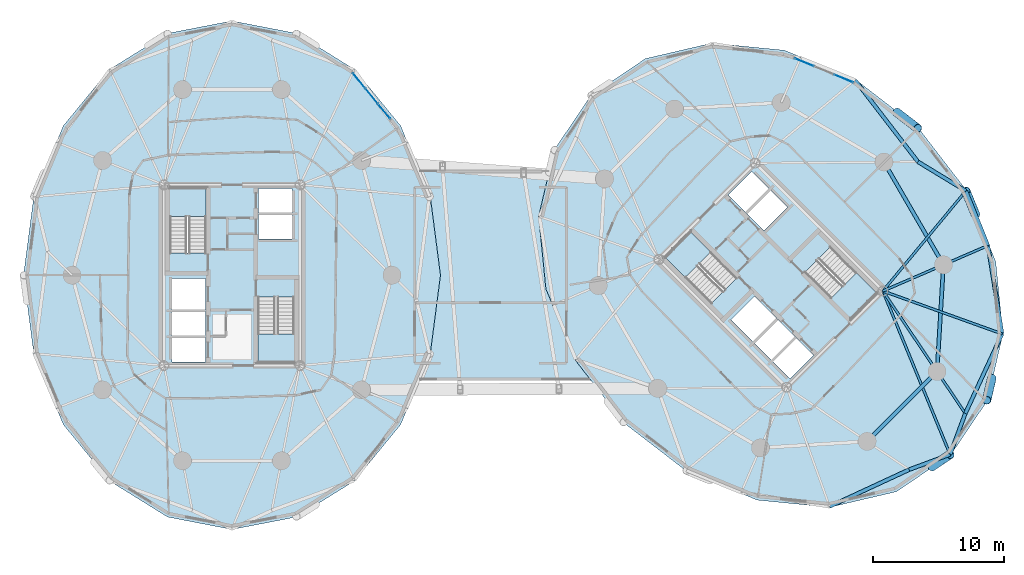
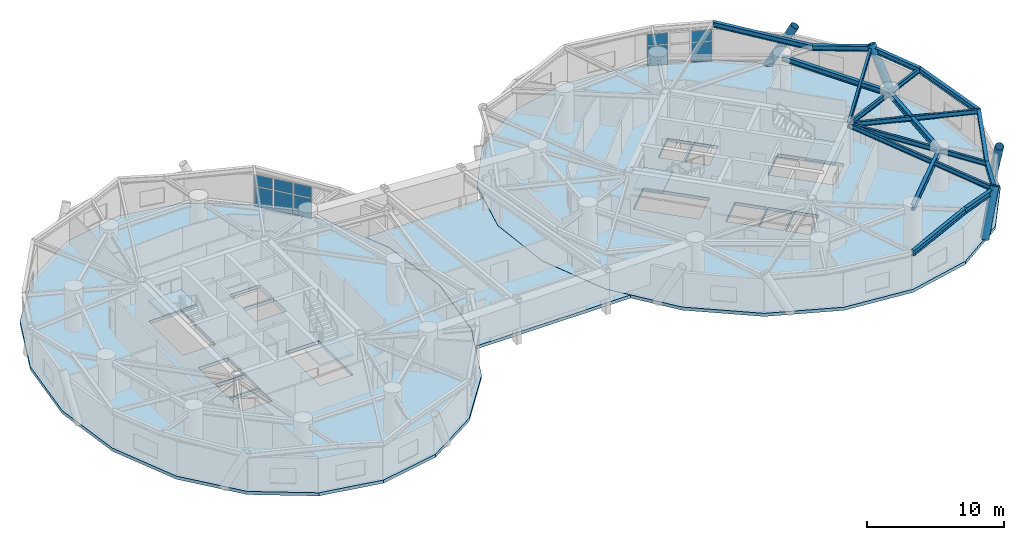
# One storey, part 8 of 17: 16 beams, 10 plates, 7 slabs, 4 members, 6 elements without a shape of their own.
"""IFC4 building model written with IfcOpenShell, lengths in metres."""

from ifc_helpers import new_model, si_unit, direction, frame, origin, origin_2d, place, context, subcontext, project, spatial, polyline, rectangle, hollow_circle, i_section, outline, extrude, source, transform, mapped, material, layer, layer_set, material_profile, profile_set, type_object, element, aggregate, save


model = new_model("IFC4")

# Units and contexts
model_context = context("Model", 3, precision=1e-05, world=origin(), true_north=direction((0.0, 1.0)))
body_context = subcontext(model_context, "Body", "Model", "MODEL_VIEW")
ifc_project = project(units=[si_unit("LENGTHUNIT", "METRE"), si_unit("AREAUNIT", "SQUARE_METRE"), si_unit("VOLUMEUNIT", "CUBIC_METRE"), si_unit("PLANEANGLEUNIT", "RADIAN"), si_unit("MASSUNIT", "GRAM", prefix="KILO")], contexts=[model_context])

# Site, building, storey
site_placement = place(None, origin())
site = spatial("IfcSite", under=ifc_project, at=site_placement, CompositionType="ELEMENT")
building_placement = place(site_placement, origin())
building = spatial("IfcBuilding", under=site, at=building_placement, Name="Cununo Teusaquillo Station Towers", CompositionType="ELEMENT")
storey_placement = place(building_placement, frame((0.0, 0.0, 125.43994140625)))
storey = spatial("IfcBuildingStorey", under=building, at=storey_placement, Name="L40", CompositionType="ELEMENT", Elevation=125.43994140625)

# Beams
ifc_material_1 = material(Name="Steel ASTM A572 Grade 50", Category="steel")
ifc_material_profile_1 = material_profile(ifc_material_1, i_section(OverallWidth=0.180908203125, OverallDepth=0.4169921875, WebThickness=0.010986328125, FlangeThickness=0.018310546875, FilletRadius=0.012939453125, at=origin_2d()), Name="W16X57")
ifc_profile_set_1 = profile_set([ifc_material_profile_1], Name="Steel ASTM A572 Grade 50")
beam_type_1 = type_object("IfcBeamType", Name="BM-JOIST-1", PredefinedType="JOIST", material=ifc_profile_set_1)
beam_1_placement = place(storey_placement, frame((66.024169921875, 23.29443359375, 3.2314453125), z_axis=(0.380485864505, -0.924786735908, 0.0), x_axis=(0.924786735908, 0.380485864505, 0.0)))
element("IfcBeam", 1, at=beam_1_placement, inside=storey, type_object=beam_type_1, Name="L40 Tower B Radial Spandrel Joist V15", PredefinedType="JOIST", context=body_context, shape_type="SweptSolid", body=[
    extrude(i_section(OverallWidth=0.180908203125, OverallDepth=0.4169921875, WebThickness=0.010986328125, FlangeThickness=0.018310546875, FilletRadius=0.012939453125, at=origin_2d()), origin(), (0.0, 0.0, 1.0), 13.44580078125),
])
beam_2_placement = place(storey_placement, frame((66.024169921875, 23.29443359375, 3.2314453125), z_axis=(0.941082771055, -0.338176312038, 0.0), x_axis=(0.338176312038, 0.941082771055, 0.0)))
element("IfcBeam", 2, at=beam_2_placement, inside=storey, type_object=beam_type_1, Name="L40 Tower B Radial Spandrel Joist V17", PredefinedType="JOIST", context=body_context, shape_type="SweptSolid", body=[
    extrude(i_section(OverallWidth=0.180908203125, OverallDepth=0.4169921875, WebThickness=0.010986328125, FlangeThickness=0.018310546875, FilletRadius=0.012939453125, at=origin_2d()), origin(), (0.0, 0.0, 1.0), 9.646484375),
])
beam_3_placement = place(storey_placement, frame((66.024169921875, 23.29443359375, 3.2314453125), z_axis=(0.638372238196, 0.769727799615, 0.0), x_axis=(-0.769727799615, 0.638372238196, 0.0)))
element("IfcBeam", 3, at=beam_3_placement, inside=storey, type_object=beam_type_1, Name="L40 Tower B Radial Spandrel Joist V19", PredefinedType="JOIST", context=body_context, shape_type="SweptSolid", body=[
    extrude(i_section(OverallWidth=0.180908203125, OverallDepth=0.4169921875, WebThickness=0.010986328125, FlangeThickness=0.018310546875, FilletRadius=0.012939453125, at=origin_2d()), origin(), (0.0, 0.0, 1.0), 9.895263671875),
])
ifc_material_2 = material(Name="Steel ASTM A572 Grade 50", Category="steel")
ifc_material_profile_2 = material_profile(ifc_material_2, i_section(OverallWidth=0.180908203125, OverallDepth=0.4169921875, WebThickness=0.010986328125, FlangeThickness=0.018310546875, FilletRadius=0.012939453125, at=origin_2d()), Name="W16X57")
ifc_profile_set_2 = profile_set([ifc_material_profile_2], Name="Steel ASTM A572 Grade 50")
beam_type_2 = type_object("IfcBeamType", Name="BM-RAD-G2", PredefinedType="BEAM", material=ifc_profile_set_2)
beam_4_placement = place(storey_placement, frame((66.024169921875, 23.29443359375, 3.2314453125), z_axis=(0.558572297481, -0.82945583878, 0.0), x_axis=(0.82945583878, 0.558572297481, 0.0)))
element("IfcBeam", 4, at=beam_4_placement, inside=storey, type_object=beam_type_2, Name="L40 Tower B Continuous Overhanging Radial Girder 09", PredefinedType="BEAM", context=body_context, shape_type="SweptSolid", body=[
    extrude(i_section(OverallWidth=0.180908203125, OverallDepth=0.4169921875, WebThickness=0.010986328125, FlangeThickness=0.018310546875, FilletRadius=0.012939453125, at=origin_2d()), origin(), (0.0, 0.0, 1.0), 11.22998046875),
])
beam_5_placement = place(storey_placement, frame((66.024169921875, 23.29443359375, 3.2314453125), z_axis=(0.917654733344, 0.397378648609, 0.0), x_axis=(-0.397378648609, 0.917654733344, 0.0)))
element("IfcBeam", 5, at=beam_5_placement, inside=storey, type_object=beam_type_2, Name="L40 Tower B Continuous Overhanging Radial Girder 10", PredefinedType="BEAM", context=body_context, shape_type="SweptSolid", body=[
    extrude(i_section(OverallWidth=0.180908203125, OverallDepth=0.4169921875, WebThickness=0.010986328125, FlangeThickness=0.018310546875, FilletRadius=0.012939453125, at=origin_2d()), origin(), (0.0, 0.0, 1.0), 8.71484375),
])
ifc_material_3 = material(Name="Steel ASTM A572 Grade 50", Category="steel")
ifc_material_profile_3 = material_profile(ifc_material_3, i_section(OverallWidth=0.280029296875, OverallDepth=0.462890625, WebThickness=0.0107421875, FlangeThickness=0.017333984375, FilletRadius=0.013916015625, at=origin_2d()), Name="W18X76")
ifc_profile_set_3 = profile_set([ifc_material_profile_3], Name="Steel ASTM A572 Grade 50")
beam_type_3 = type_object("IfcBeamType", Name="BM-RING-Z2", PredefinedType="SPANDREL", material=ifc_profile_set_3)
beam_6_placement = place(storey_placement, frame((64.826904296875, 11.853759765625, 3.20849609375), z_axis=(0.707106781187, 0.707106781187, 0.0), x_axis=(-0.707106781187, 0.707106781187, 0.0)))
element("IfcBeam", 6, at=beam_6_placement, inside=storey, type_object=beam_type_3, Name="L40 Tower B Structural Column Ring Girder 08", PredefinedType="SPANDREL", context=body_context, shape_type="SweptSolid", body=[
    extrude(i_section(OverallWidth=0.280029296875, OverallDepth=0.462890625, WebThickness=0.0107421875, FlangeThickness=0.017333984375, FilletRadius=0.013916015625, at=origin_2d()), origin(), (0.0, 0.0, 1.0), 7.522705078125),
])
beam_7_placement = place(storey_placement, frame((70.146240234375, 17.173095703125, 3.20849609375), z_axis=(0.06012979176, 0.998190567048, 0.0), x_axis=(-0.998190567048, 0.06012979176, 0.0)))
element("IfcBeam", 7, at=beam_7_placement, inside=storey, type_object=beam_type_3, Name="L40 Tower B Structural Column Ring Girder 09", PredefinedType="SPANDREL", context=body_context, shape_type="SweptSolid", body=[
    extrude(i_section(OverallWidth=0.280029296875, OverallDepth=0.462890625, WebThickness=0.0107421875, FlangeThickness=0.017333984375, FilletRadius=0.013916015625, at=origin_2d()), origin(), (0.0, 0.0, 1.0), 8.132568359375),
])
beam_8_placement = place(storey_placement, frame((70.63525390625, 25.291015625, 3.20849609375), z_axis=(-0.501311121078, 0.865267103202, 0.0), x_axis=(-0.865267103202, -0.501311121078, 0.0)))
element("IfcBeam", 8, at=beam_8_placement, inside=storey, type_object=beam_type_3, Name="L40 Tower B Structural Column Ring Girder 10", PredefinedType="SPANDREL", context=body_context, shape_type="SweptSolid", body=[
    extrude(i_section(OverallWidth=0.280029296875, OverallDepth=0.462890625, WebThickness=0.0107421875, FlangeThickness=0.017333984375, FilletRadius=0.013916015625, at=origin_2d()), origin(), (0.0, 0.0, 1.0), 9.032958984375),
])
beam_9_placement = place(storey_placement, frame((68.694580078125, 33.12890625, 3.20849609375), z_axis=(-0.610100441726, 0.792324082056, 0.0), x_axis=(-0.792324082056, -0.610100441726, 0.0)))
element("IfcBeam", 9, at=beam_9_placement, inside=storey, type_object=beam_type_3, Name="L40 Tower B Spandrel Ring Beam 01", PredefinedType="SPANDREL", context=body_context, shape_type="SweptSolid", body=[
    extrude(i_section(OverallWidth=0.280029296875, OverallDepth=0.462890625, WebThickness=0.0107421875, FlangeThickness=0.017333984375, FilletRadius=0.013916015625, at=origin_2d()), origin(), (0.0, 0.0, 1.0), 7.84033203125),
])
beam_10_placement = place(storey_placement, frame((61.9677734375, 6.897705078125, 3.20849609375), z_axis=(0.907275870354, 0.420535961689, 0.0), x_axis=(-0.420535961689, 0.907275870354, 0.0)))
element("IfcBeam", 10, at=beam_10_placement, inside=storey, type_object=beam_type_3, Name="L40 Tower B Spandrel Ring Beam 14", PredefinedType="SPANDREL", context=body_context, shape_type="SweptSolid", body=[
    extrude(i_section(OverallWidth=0.280029296875, OverallDepth=0.462890625, WebThickness=0.0107421875, FlangeThickness=0.017333984375, FilletRadius=0.013916015625, at=origin_2d()), origin(), (0.0, 0.0, 1.0), 6.671142578125),
])
for number, where, z_axis, x_axis, name in (
    (11, (68.020263671875, 9.703125, 3.20849609375), (0.937628334414, 0.347639333943, 0.0), (-0.347639333943, 0.937628334414, 0.0), "L40 Tower B Spandrel Ring Beam 15"),
    (12, (71.14013671875, 10.85986328125, 3.20849609375), (0.347639333943, 0.937628334414, 0.0), (-0.937628334414, 0.347639333943, 0.0), "L40 Tower B Spandrel Ring Beam 16"),
):
    element("IfcBeam", number, at=place(storey_placement, frame(where, z_axis=z_axis, x_axis=x_axis)), inside=storey, type_object=beam_type_3, Name=name, PredefinedType="SPANDREL", context=body_context, shape_type="SweptSolid", body=[
        extrude(i_section(OverallWidth=0.280029296875, OverallDepth=0.462890625, WebThickness=0.0107421875, FlangeThickness=0.017333984375, FilletRadius=0.013916015625, at=origin_2d()), origin(), (0.0, 0.0, 1.0), 3.327392578125),
    ])
beam_11_placement = place(storey_placement, frame((72.296875, 13.979736328125, 3.20849609375), z_axis=(0.420535961689, 0.907275870354, 0.0), x_axis=(-0.907275870354, 0.420535961689, 0.0)))
element("IfcBeam", 13, at=beam_11_placement, inside=storey, type_object=beam_type_3, Name="L40 Tower B Spandrel Ring Beam 17", PredefinedType="SPANDREL", context=body_context, shape_type="SweptSolid", body=[
    extrude(i_section(OverallWidth=0.280029296875, OverallDepth=0.462890625, WebThickness=0.0107421875, FlangeThickness=0.017333984375, FilletRadius=0.013916015625, at=origin_2d()), origin(), (0.0, 0.0, 1.0), 6.671142578125),
])
beam_12_placement = place(storey_placement, frame((75.102294921875, 20.0322265625, 3.20849609375), z_axis=(-0.158671232312, 0.987331474246, 0.0), x_axis=(-0.987331474246, -0.158671232312, 0.0)))
element("IfcBeam", 14, at=beam_12_placement, inside=storey, type_object=beam_type_3, Name="L40 Tower B Spandrel Ring Beam 18", PredefinedType="SPANDREL", context=body_context, shape_type="SweptSolid", body=[
    extrude(i_section(OverallWidth=0.280029296875, OverallDepth=0.462890625, WebThickness=0.0107421875, FlangeThickness=0.017333984375, FilletRadius=0.013916015625, at=origin_2d()), origin(), (0.0, 0.0, 1.0), 6.8115234375),
])
beam_13_placement = place(storey_placement, frame((74.021484375, 26.757568359375, 3.20849609375), z_axis=(-0.375042266631, 0.927007712072, 0.0), x_axis=(-0.927007712072, -0.375042266631, 0.0)))
element("IfcBeam", 15, at=beam_13_placement, inside=storey, type_object=beam_type_3, Name="L40 Tower B Spandrel Ring Beam 19", PredefinedType="SPANDREL", context=body_context, shape_type="SweptSolid", body=[
    extrude(i_section(OverallWidth=0.280029296875, OverallDepth=0.462890625, WebThickness=0.0107421875, FlangeThickness=0.017333984375, FilletRadius=0.013916015625, at=origin_2d()), origin(), (0.0, 0.0, 1.0), 4.480712890625),
])
beam_14_placement = place(storey_placement, frame((72.341064453125, 30.9111328125, 3.20849609375), z_axis=(-0.854388492444, 0.519634779416, 0.0), x_axis=(-0.519634779416, -0.854388492444, 0.0)))
element("IfcBeam", 16, at=beam_14_placement, inside=storey, type_object=beam_type_3, Name="L40 Tower B Spandrel Ring Beam 20", PredefinedType="SPANDREL", context=body_context, shape_type="SweptSolid", body=[
    extrude(i_section(OverallWidth=0.280029296875, OverallDepth=0.462890625, WebThickness=0.0107421875, FlangeThickness=0.017333984375, FilletRadius=0.013916015625, at=origin_2d()), origin(), (0.0, 0.0, 1.0), 4.26806640625),
])

# Members
ifc_material_4 = material(Name="Steel EN 10025-2 S355J2", Category="steel")
ifc_material_profile_4 = material_profile(ifc_material_4, hollow_circle(Radius=0.330078125, WallThickness=0.02490234375, at=origin_2d()), Name="CHS 660x25")
ifc_profile_set_4 = profile_set([ifc_material_profile_4], Name="Steel EN 10025-2 S355J2")
member_type = type_object("IfcMemberType", Name="MBR-DIAG-Z2", PredefinedType="BRACE", material=ifc_profile_set_4)
member_1_placement = place(storey_placement, frame((67.085693359375, 36.895751953125, -0.139892578125), z_axis=(0.375692417453, -0.289367521779, 0.88040992998), x_axis=(0.610205273886, 0.792243348803, 0.0)))
element("IfcMember", 17, at=member_1_placement, inside=storey, type_object=member_type, Name="L40 Tower B Folded-Zigzag Diagrid Tube C00", PredefinedType="BRACE", context=body_context, shape_type="SweptSolid", body=[
    extrude(hollow_circle(Radius=0.330078125, WallThickness=0.02490234375, at=origin_2d()), origin(), (0.0, 0.0, 1.0), 4.225341796875),
])
member_2_placement = place(storey_placement, frame((69.7666015625, 9.931396484375, -0.139892578125), z_axis=(0.337254741435, 0.227973654759, 0.913393262574), x_axis=(-0.560024081213, 0.828476329452, 0.0)))
element("IfcMember", 18, at=member_2_placement, inside=storey, type_object=member_type, Name="L40 Tower B Folded-Zigzag Diagrid Tube C14", PredefinedType="BRACE", context=body_context, shape_type="SweptSolid", body=[
    extrude(hollow_circle(Radius=0.330078125, WallThickness=0.02490234375, at=origin_2d()), origin(), (0.0, 0.0, 1.0), 4.07275390625),
])
member_3_placement = place(storey_placement, frame((74.317626953125, 16.664306640625, -0.139892578125), z_axis=(-0.095639341372, -0.410529045914, 0.90681807373), x_axis=(0.973920299704, -0.226890391653, 0.0)))
element("IfcMember", 19, at=member_3_placement, inside=storey, type_object=member_type, Name="L40 Tower B Folded-Zigzag Diagrid Tube C16", PredefinedType="BRACE", context=body_context, shape_type="SweptSolid", body=[
    extrude(hollow_circle(Radius=0.330078125, WallThickness=0.02490234375, at=origin_2d()), origin(), (0.0, 0.0, 1.0), 4.102294921875),
])
member_4_placement = place(storey_placement, frame((73.07958984375, 29.114501953125, -0.139892578125), z_axis=(-0.175981676985, 0.428115425103, 0.886424070157), x_axis=(-0.924906987989, -0.380193455452, 0.0)))
element("IfcMember", 20, at=member_4_placement, inside=storey, type_object=member_type, Name="L40 Tower B Folded-Zigzag Diagrid Tube C18", PredefinedType="BRACE", context=body_context, shape_type="SweptSolid", body=[
    extrude(hollow_circle(Radius=0.330078125, WallThickness=0.02490234375, at=origin_2d()), origin(), (0.0, 0.0, 1.0), 4.196533203125),
])

# Slabs
ifc_material_5 = material(Name="Concrete C50/60", Category="concrete")
ifc_layer_1 = layer(ifc_material_5, 0.280029296875)
ifc_layer_set_1 = layer_set([ifc_layer_1], Name="Concrete C50/60")
slab_type_1 = type_object("IfcSlabType", Name="SLB-BRG-280", PredefinedType="FLOOR", material=ifc_layer_set_1)
slab_1_placement = place(storey_placement, frame((0.0, 0.0, -0.280029296875)))
element("IfcSlab", 21, at=slab_1_placement, inside=storey, type_object=slab_type_1, Name="L40 Tower A Floor Slab", PredefinedType="FLOOR", context=body_context, shape_type="SweptSolid", body=[
    extrude(outline(polyline([(32.361083984375, 24.5), (31.584716796875, 30.4794921875), (29.331787109375, 35.87353515625), (25.822998046875, 40.154541015625), (21.4013671875, 42.90283203125), (16.5, 43.85009765625), (11.5986328125, 42.90283203125), (7.177001953125, 40.154541015625), (3.668212890625, 35.87353515625), (1.415283203125, 30.4794921875), (0.638916015625, 24.5), (1.415283203125, 18.5205078125), (3.668212890625, 13.12646484375), (7.177001953125, 8.845458984375), (11.5986328125, 6.09716796875), (16.5, 5.14990234375), (21.4013671875, 6.09716796875), (25.822998046875, 8.845458984375), (29.331787109375, 13.12646484375), (31.584716796875, 18.5205078125), (32.361083984375, 24.5)]), holes=[polyline([(14.52001953125, 26.176025390625), (14.52001953125, 31.159912109375), (11.760009765625, 31.159912109375), (11.760009765625, 26.176025390625), (14.52001953125, 26.176025390625)]), polyline([(18.47998046875, 22.823974609375), (18.47998046875, 17.840087890625), (21.239990234375, 17.840087890625), (21.239990234375, 22.823974609375), (18.47998046875, 22.823974609375)]), polyline([(11.949951171875, 21.85009765625), (14.47998046875, 21.85009765625), (14.47998046875, 24.25), (11.949951171875, 24.25), (11.949951171875, 21.85009765625)]), polyline([(11.949951171875, 17.89990234375), (14.47998046875, 17.89990234375), (14.47998046875, 19.75), (11.949951171875, 19.75), (11.949951171875, 17.89990234375)]), polyline([(11.949951171875, 19.89990234375), (14.47998046875, 19.89990234375), (14.47998046875, 21.75), (11.949951171875, 21.75), (11.949951171875, 19.89990234375)]), polyline([(18.52001953125, 27.25), (21.050048828125, 27.25), (21.050048828125, 29.10009765625), (18.52001953125, 29.10009765625), (18.52001953125, 27.25)]), polyline([(18.52001953125, 29.25), (21.050048828125, 29.25), (21.050048828125, 31.10009765625), (18.52001953125, 31.10009765625), (18.52001953125, 29.25)])]), origin(), (0.0, 0.0, 1.0), 0.280029296875),
])
slab_2_placement = place(storey_placement, frame((0.0, 0.0, -0.280029296875)))
element("IfcSlab", 22, at=slab_2_placement, inside=storey, type_object=slab_type_1, Name="L40 Tower B Floor Slab", PredefinedType="FLOOR", context=body_context, shape_type="SweptSolid", body=[
    extrude(outline(polyline([(68.71533203125, 35.71533203125), (63.938232421875, 39.39453125), (58.531005859375, 41.61572265625), (53.02294921875, 42.16162109375), (47.952880859375, 40.978515625), (43.8173828125, 38.1826171875), (41.021484375, 34.047119140625), (39.83837890625, 28.97705078125), (40.38427734375, 23.468994140625), (42.60546875, 18.061767578125), (46.28466796875, 13.28466796875), (51.061767578125, 9.60546875), (56.468994140625, 7.38427734375), (61.97705078125, 6.83837890625), (67.047119140625, 8.021484375), (71.1826171875, 10.8173828125), (73.978515625, 14.952880859375), (75.16162109375, 20.02294921875), (74.61572265625, 25.531005859375), (72.39453125, 30.938232421875), (68.71533203125, 35.71533203125)]), holes=[polyline([(54.914794921875, 24.28515625), (51.390625, 27.809326171875), (49.43896484375, 25.857666015625), (52.963134765625, 22.33349609375), (54.914794921875, 24.28515625)]), polyline([(60.085205078125, 24.71484375), (63.609375, 21.190673828125), (65.56103515625, 23.142333984375), (62.036865234375, 26.66650390625), (60.085205078125, 24.71484375)]), polyline([(56.156494140625, 19.40869140625), (57.945556640625, 21.19775390625), (56.248291015625, 22.89501953125), (54.45947265625, 21.10595703125), (56.156494140625, 19.40869140625)]), polyline([(58.94970703125, 16.61572265625), (60.738525390625, 18.40478515625), (59.430419921875, 19.712890625), (57.641357421875, 17.923828125), (58.94970703125, 16.61572265625)]), polyline([(57.535400390625, 18.030029296875), (59.32421875, 19.819091796875), (58.01611328125, 21.127197265625), (56.227294921875, 19.338134765625), (57.535400390625, 18.030029296875)]), polyline([(56.98388671875, 27.872802734375), (58.772705078125, 29.661865234375), (57.464599609375, 30.969970703125), (55.67578125, 29.180908203125), (56.98388671875, 27.872802734375)]), polyline([(55.569580078125, 29.287109375), (57.358642578125, 31.076171875), (56.05029296875, 32.38427734375), (54.261474609375, 30.59521484375), (55.569580078125, 29.287109375)])]), origin(), (0.0, 0.0, 1.0), 0.280029296875),
])
slab_3_placement = place(storey_placement, frame((0.0, 0.0, -0.280029296875)))
element("IfcSlab", 23, at=slab_3_placement, inside=storey, type_object=slab_type_1, Name="L40 Mid-Bridge Link Floor Slab", PredefinedType="FLOOR", context=body_context, shape_type="SweptSolid", body=[
    extrude(outline(polyline([(30.74609375, 16.5), (31.58935546875, 18.5185546875), (31.589599609375, 18.51904296875), (31.589599609375, 18.519287109375), (31.589599609375, 18.52001953125), (32.365966796875, 24.49951171875), (32.365966796875, 24.499755859375), (32.365966796875, 24.500244140625), (32.365966796875, 24.50048828125), (31.589599609375, 30.47998046875), (31.589599609375, 30.480712890625), (31.589599609375, 30.48095703125), (31.58935546875, 30.4814453125), (30.74609375, 32.5), (40.6552734375, 32.5), (39.83349609375, 28.978271484375), (39.833251953125, 28.977783203125), (39.833251953125, 28.977294921875), (39.833251953125, 28.9765625), (40.379150390625, 23.468505859375), (40.37939453125, 23.468017578125), (40.37939453125, 23.467529296875), (40.379638671875, 23.467041015625), (42.600830078125, 18.059814453125), (42.60107421875, 18.059326171875), (42.601318359375, 18.05908203125), (42.601318359375, 18.05859375), (43.802001953125, 16.5), (30.74609375, 16.5)])), origin(), (0.0, 0.0, 1.0), 0.280029296875),
])

# Stair, slab
ifc_material_6 = material(Name="Concrete C50/60", Category="concrete")
stair_type = type_object("IfcStairType", Name="ST-TWR-1300", PredefinedType="HALF_TURN_STAIR", material=ifc_material_6)
stair_1_placement = place(storey_placement, origin())
stair_1 = element("IfcStair", 24, at=stair_1_placement, inside=storey, type_object=stair_type, Name="L40 Tower A Protected Core Exit Stair 1", PredefinedType="HALF_TURN_STAIR")
ifc_material_7 = material(Name="Concrete C50/60", Category="concrete")
ifc_layer_2 = layer(ifc_material_7, 0.199951171875)
ifc_layer_set_2 = layer_set([ifc_layer_2], Name="Concrete C50/60")
slab_type_2 = type_object("IfcSlabType", Name="SLB-STAIR-LND", PredefinedType="LANDING", material=ifc_layer_set_2)
slab_4_placement = place(storey_placement, frame((0.0, 0.0, 1.66015625)))
slab_4 = element("IfcSlab", 25, at=slab_4_placement, type_object=slab_type_2, Name="ST-T1-1 landing 1", PredefinedType="LANDING", context=body_context, shape_type="SweptSolid", body=[
    extrude(outline(polyline([(14.52001953125, 28.969970703125), (14.52001953125, 31.159912109375), (11.760009765625, 31.159912109375), (11.760009765625, 28.969970703125), (14.52001953125, 28.969970703125)])), origin(), (0.0, 0.0, 1.0), 0.199951171875),
])
aggregate(stair_1, [slab_4])

stair_2_placement = place(storey_placement, origin())
stair_2 = element("IfcStair", 26, at=stair_2_placement, inside=storey, type_object=stair_type, Name="L40 Tower A Protected Core Exit Stair 2", PredefinedType="HALF_TURN_STAIR")
slab_5_placement = place(storey_placement, frame((0.0, 0.0, 1.66015625)))
slab_5 = element("IfcSlab", 27, at=slab_5_placement, type_object=slab_type_2, Name="ST-T1-2 landing 1", PredefinedType="LANDING", context=body_context, shape_type="SweptSolid", body=[
    extrude(outline(polyline([(18.47998046875, 20.030029296875), (18.47998046875, 17.840087890625), (21.239990234375, 17.840087890625), (21.239990234375, 20.030029296875), (18.47998046875, 20.030029296875)])), origin(), (0.0, 0.0, 1.0), 0.199951171875),
])
aggregate(stair_2, [slab_5])

stair_3_placement = place(storey_placement, origin())
stair_3 = element("IfcStair", 28, at=stair_3_placement, inside=storey, type_object=stair_type, Name="L40 Tower B Protected Core Exit Stair 1", PredefinedType="HALF_TURN_STAIR")
slab_6_placement = place(storey_placement, frame((0.0, 0.0, 1.66015625)))
slab_6 = element("IfcSlab", 29, at=slab_6_placement, type_object=slab_type_2, Name="ST-T2-1 landing 1", PredefinedType="LANDING", context=body_context, shape_type="SweptSolid", body=[
    extrude(outline(polyline([(52.939208984375, 26.2607421875), (51.390625, 27.809326171875), (49.43896484375, 25.857666015625), (50.987548828125, 24.30908203125), (52.939208984375, 26.2607421875)])), origin(), (0.0, 0.0, 1.0), 0.199951171875),
])
aggregate(stair_3, [slab_6])

stair_4_placement = place(storey_placement, origin())
stair_4 = element("IfcStair", 30, at=stair_4_placement, inside=storey, type_object=stair_type, Name="L40 Tower B Protected Core Exit Stair 2", PredefinedType="HALF_TURN_STAIR")
slab_7_placement = place(storey_placement, frame((0.0, 0.0, 1.66015625)))
slab_7 = element("IfcSlab", 31, at=slab_7_placement, type_object=slab_type_2, Name="ST-T2-2 landing 1", PredefinedType="LANDING", context=body_context, shape_type="SweptSolid", body=[
    extrude(outline(polyline([(62.060791015625, 22.7392578125), (63.609375, 21.190673828125), (65.56103515625, 23.142333984375), (64.012451171875, 24.69091796875), (62.060791015625, 22.7392578125)])), origin(), (0.0, 0.0, 1.0), 0.199951171875),
])
aggregate(stair_4, [slab_7])

# Curtain wall, plates
ifc_material_8 = material(Name="Ceramic-fritted dark low-E double glazing", Category="glass")
ifc_layer_3 = layer(ifc_material_8, 0.179931640625)
ifc_layer_set_3 = layer_set([ifc_layer_3], Name="Ceramic-fritted dark low-E double glazing")
curtain_wall_type = type_object("IfcCurtainWallType", Name="CW-SYS-04", PredefinedType="USERDEFINED", material=ifc_layer_set_3)
curtain_wall_1_placement = place(storey_placement, origin())
curtain_wall_1 = element("IfcCurtainWall", 32, at=curtain_wall_1_placement, inside=storey, type_object=curtain_wall_type, Name="L40 Tower A Facade Curtain Wall C02", ObjectType="FRITTED GLAZING", PredefinedType="USERDEFINED")
ifc_material_9 = material(Name="Ceramic-fritted dark low-E double glazing", Category="glass")
ifc_layer_4 = layer(ifc_material_9, 0.028076171875)
ifc_layer_set_4 = layer_set([ifc_layer_4], Name="Ceramic-fritted dark low-E double glazing")
plate_type = type_object("IfcPlateType", Name="CWP-FRIT-28", PredefinedType="CURTAIN_PANEL", material=ifc_layer_set_4)
shared_shape_1 = source(origin(), body_context, "Body", "SweptSolid", [
    extrude(rectangle(XDim=1.427734375, YDim=0.028076171875, at=origin_2d()), origin(), (0.0, 0.0, 1.0), 1.7451171875),
])
plate_1_placement = place(storey_placement, frame((26.154296875, 39.321044921875, 0.070068359375), z_axis=(0.0, 0.0, 1.0), x_axis=(0.63270351247, -0.774394127889, 0.0)))
plate_1 = element("IfcPlate", 33, at=plate_1_placement, type_object=plate_type, Name="CW-04 panel 1.1", PredefinedType="CURTAIN_PANEL", context=body_context, shape_type="MappedRepresentation", body=[
    mapped(shared_shape_1, transform((0.0, 0.0, 0.0), x_axis=(1.0, 0.0, 0.0), y_axis=(0.0, 1.0, 0.0), z_axis=(0.0, 0.0, 1.0), scale=1.0)),
])
plate_2_placement = place(storey_placement, frame((28.071533203125, 36.974365234375, 0.070068359375), z_axis=(0.0, 0.0, 1.0), x_axis=(0.63270351247, -0.774394127889, 0.0)))
plate_2 = element("IfcPlate", 34, at=plate_2_placement, type_object=plate_type, Name="CW-04 panel 3.1", PredefinedType="CURTAIN_PANEL", context=body_context, shape_type="MappedRepresentation", body=[
    mapped(shared_shape_1, transform((0.0, 0.0, 0.0), x_axis=(1.0, 0.0, 0.0), y_axis=(0.0, 1.0, 0.0), z_axis=(0.0, 0.0, 1.0), scale=1.0)),
])
shared_shape_2 = source(origin(), body_context, "Body", "SweptSolid", [
    extrude(rectangle(XDim=1.427734375, YDim=0.028076171875, at=origin_2d()), origin(), (0.0, 0.0, 1.0), 0.993896484375),
])
plate_3_placement = place(storey_placement, frame((26.154296875, 39.321044921875, 1.88525390625), z_axis=(0.0, 0.0, 1.0), x_axis=(0.63270351247, -0.774394127889, 0.0)))
plate_3 = element("IfcPlate", 35, at=plate_3_placement, type_object=plate_type, Name="CW-04 panel 1.2", PredefinedType="CURTAIN_PANEL", context=body_context, shape_type="MappedRepresentation", body=[
    mapped(shared_shape_2, transform((0.0, 0.0, 0.0), x_axis=(1.0, 0.0, 0.0), y_axis=(0.0, 1.0, 0.0), z_axis=(0.0, 0.0, 1.0), scale=1.0)),
])
plate_4_placement = place(storey_placement, frame((28.071533203125, 36.974365234375, 1.88525390625), z_axis=(0.0, 0.0, 1.0), x_axis=(0.63270351247, -0.774394127889, 0.0)))
plate_4 = element("IfcPlate", 36, at=plate_4_placement, type_object=plate_type, Name="CW-04 panel 3.2", PredefinedType="CURTAIN_PANEL", context=body_context, shape_type="MappedRepresentation", body=[
    mapped(shared_shape_2, transform((0.0, 0.0, 0.0), x_axis=(1.0, 0.0, 0.0), y_axis=(0.0, 1.0, 0.0), z_axis=(0.0, 0.0, 1.0), scale=1.0)),
])
shared_shape_3 = source(origin(), body_context, "Body", "SweptSolid", [
    extrude(rectangle(XDim=1.462646484375, YDim=0.028076171875, at=origin_2d()), origin(), (0.0, 0.0, 1.0), 1.7451171875),
])
plate_5_placement = place(storey_placement, frame((27.11279296875, 38.147705078125, 0.070068359375), z_axis=(0.0, 0.0, 1.0), x_axis=(0.63270351247, -0.774394127889, 0.0)))
plate_5 = element("IfcPlate", 37, at=plate_5_placement, type_object=plate_type, Name="CW-04 panel 2.1", PredefinedType="CURTAIN_PANEL", context=body_context, shape_type="MappedRepresentation", body=[
    mapped(shared_shape_3, transform((0.0, 0.0, 0.0), x_axis=(1.0, 0.0, 0.0), y_axis=(0.0, 1.0, 0.0), z_axis=(0.0, 0.0, 1.0), scale=1.0)),
])
shared_shape_4 = source(origin(), body_context, "Body", "SweptSolid", [
    extrude(rectangle(XDim=1.462646484375, YDim=0.028076171875, at=origin_2d()), origin(), (0.0, 0.0, 1.0), 0.993896484375),
])
plate_6_placement = place(storey_placement, frame((27.11279296875, 38.147705078125, 1.88525390625), z_axis=(0.0, 0.0, 1.0), x_axis=(0.63270351247, -0.774394127889, 0.0)))
plate_6 = element("IfcPlate", 38, at=plate_6_placement, type_object=plate_type, Name="CW-04 panel 2.2", PredefinedType="CURTAIN_PANEL", context=body_context, shape_type="MappedRepresentation", body=[
    mapped(shared_shape_4, transform((0.0, 0.0, 0.0), x_axis=(1.0, 0.0, 0.0), y_axis=(0.0, 1.0, 0.0), z_axis=(0.0, 0.0, 1.0), scale=1.0)),
])
aggregate(curtain_wall_1, [plate_1, plate_3, plate_5, plate_6, plate_2, plate_4])

curtain_wall_2_placement = place(storey_placement, origin())
curtain_wall_2 = element("IfcCurtainWall", 39, at=curtain_wall_2_placement, inside=storey, type_object=curtain_wall_type, Name="L40 Tower B Facade Curtain Wall C01", ObjectType="FRITTED GLAZING", PredefinedType="USERDEFINED")
shared_shape_5 = source(origin(), body_context, "Body", "SweptSolid", [
    extrude(rectangle(XDim=1.531005859375, YDim=0.028076171875, at=origin_2d()), origin(), (0.0, 0.0, 1.0), 1.7451171875),
])
plate_7_placement = place(storey_placement, frame((60.045654296875, 40.697021484375, 0.070068359375), z_axis=(0.0, 0.0, 1.0), x_axis=(0.924562443652, -0.381030560176, 0.0)))
plate_7 = element("IfcPlate", 40, at=plate_7_placement, type_object=plate_type, Name="CW-04 panel 1.1", PredefinedType="CURTAIN_PANEL", context=body_context, shape_type="MappedRepresentation", body=[
    mapped(shared_shape_5, transform((0.0, 0.0, 0.0), x_axis=(1.0, 0.0, 0.0), y_axis=(0.0, 1.0, 0.0), z_axis=(0.0, 0.0, 1.0), scale=1.0)),
])
plate_8_placement = place(storey_placement, frame((63.03857421875, 39.463623046875, 0.070068359375), z_axis=(0.0, 0.0, 1.0), x_axis=(0.924562443652, -0.381030560176, 0.0)))
plate_8 = element("IfcPlate", 41, at=plate_8_placement, type_object=plate_type, Name="CW-04 panel 3.1", PredefinedType="CURTAIN_PANEL", context=body_context, shape_type="MappedRepresentation", body=[
    mapped(shared_shape_5, transform((0.0, 0.0, 0.0), x_axis=(1.0, 0.0, 0.0), y_axis=(0.0, 1.0, 0.0), z_axis=(0.0, 0.0, 1.0), scale=1.0)),
])
shared_shape_6 = source(origin(), body_context, "Body", "SweptSolid", [
    extrude(rectangle(XDim=1.531005859375, YDim=0.028076171875, at=origin_2d()), origin(), (0.0, 0.0, 1.0), 0.993896484375),
])
plate_9_placement = place(storey_placement, frame((60.045654296875, 40.697021484375, 1.88525390625), z_axis=(0.0, 0.0, 1.0), x_axis=(0.924562443652, -0.381030560176, 0.0)))
plate_9 = element("IfcPlate", 42, at=plate_9_placement, type_object=plate_type, Name="CW-04 panel 1.2", PredefinedType="CURTAIN_PANEL", context=body_context, shape_type="MappedRepresentation", body=[
    mapped(shared_shape_6, transform((0.0, 0.0, 0.0), x_axis=(1.0, 0.0, 0.0), y_axis=(0.0, 1.0, 0.0), z_axis=(0.0, 0.0, 1.0), scale=1.0)),
])
plate_10_placement = place(storey_placement, frame((63.03857421875, 39.463623046875, 1.88525390625), z_axis=(0.0, 0.0, 1.0), x_axis=(0.924562443652, -0.381030560176, 0.0)))
plate_10 = element("IfcPlate", 43, at=plate_10_placement, type_object=plate_type, Name="CW-04 panel 3.2", PredefinedType="CURTAIN_PANEL", context=body_context, shape_type="MappedRepresentation", body=[
    mapped(shared_shape_6, transform((0.0, 0.0, 0.0), x_axis=(1.0, 0.0, 0.0), y_axis=(0.0, 1.0, 0.0), z_axis=(0.0, 0.0, 1.0), scale=1.0)),
])
aggregate(curtain_wall_2, [plate_7, plate_9, plate_8, plate_10])

save(model, "model.ifc")
